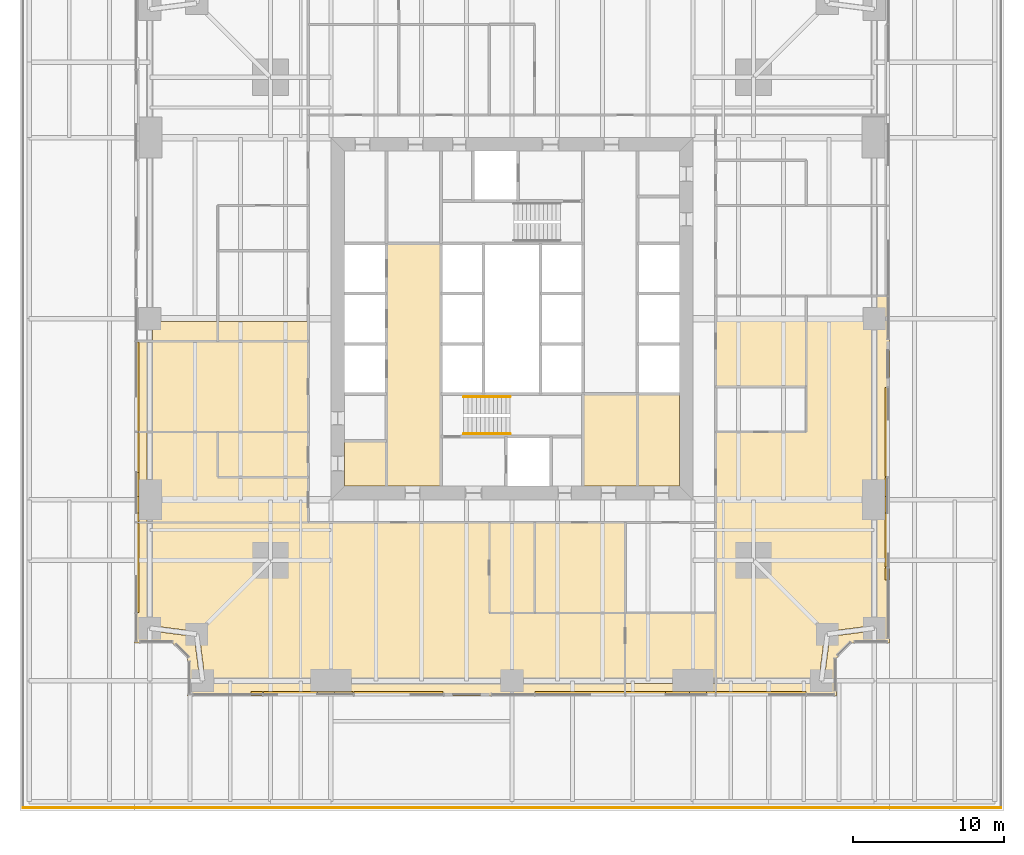
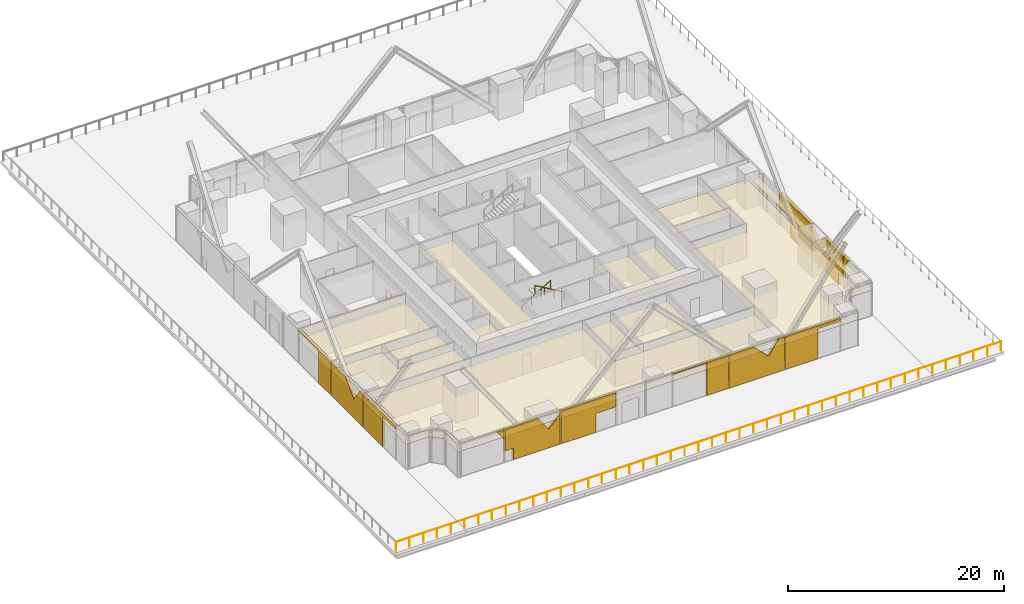
# One storey, part 19 of 21: 31 coverings, 3 railings.
"""IFC4 building model written with IfcOpenShell, lengths in metres."""

from ifc_helpers import new_model, si_unit, direction, frame, origin, origin_2d, place, context, subcontext, project, spatial, polyline, circle, outline, extrude, material, layer, layer_set, type_object, element, save


model = new_model("IFC4")

# Units and contexts
model_context = context("Model", 3, precision=1e-05, world=origin(), true_north=direction((0.0, 1.0)))
body_context = subcontext(model_context, "Body", "Model", "MODEL_VIEW")
ifc_project = project(units=[si_unit("LENGTHUNIT", "METRE"), si_unit("AREAUNIT", "SQUARE_METRE"), si_unit("VOLUMEUNIT", "CUBIC_METRE"), si_unit("PLANEANGLEUNIT", "RADIAN"), si_unit("MASSUNIT", "GRAM", prefix="KILO")], contexts=[model_context])

# Site, building, storey
site_placement = place(None, origin())
site = spatial("IfcSite", under=ifc_project, at=site_placement, CompositionType="ELEMENT")
building_placement = place(site_placement, origin())
building = spatial("IfcBuilding", under=site, at=building_placement, Name="Fenwick Lantern Interchange", CompositionType="ELEMENT")
storey_placement = place(building_placement, frame((0.0, 0.0, 31.0)))
storey = spatial("IfcBuildingStorey", under=building, at=storey_placement, Name="L06", CompositionType="ELEMENT", Elevation=31.0)

# Coverings
ifc_material_1 = material(Name="Mineral fibre acoustic tile on suspended grid")
ifc_layer_1 = layer(ifc_material_1, 0.02001953125)
ifc_layer_set_1 = layer_set([ifc_layer_1], Name="ACOUSTIC TILE CEILING 20")
covering_type_1 = type_object("IfcCoveringType", Name="ACOUSTIC TILE CEILING 20", PredefinedType="CEILING", material=ifc_layer_set_1)
covering_1_placement = place(storey_placement, frame((0.0, 0.0, 2.89990234375)))
element("IfcCovering", 1, at=covering_1_placement, inside=storey, type_object=covering_type_1, Name="Coworking studio ceiling", PredefinedType="CEILING", context=body_context, shape_type="SweptSolid", body=[
    extrude(outline(polyline([(32.5, 5.5), (23.5, 5.5), (23.5, 11.5), (1.17236328125, 11.5), (1.17236328125, 4.651611328125), (4.1220703125, 4.27099609375), (4.10009765625, 4.10009765625), (4.27099609375, 4.1220703125), (4.651611328125, 1.17236328125), (13.0, 1.17236328125), (25.0, 1.17236328125), (32.5, 1.17236328125), (32.5, 5.5)])), origin(), (0.0, 0.0, 1.0), 0.02001953125),
])
covering_2_placement = place(storey_placement, frame((0.0, 0.0, 2.89990234375)))
element("IfcCovering", 2, at=covering_2_placement, inside=storey, type_object=covering_type_1, Name="Coworking studio ceiling", PredefinedType="CEILING", context=body_context, shape_type="SweptSolid", body=[
    extrude(outline(polyline([(32.5, 0.0), (32.5, 0.82763671875), (25.0, 0.82763671875), (13.0, 0.82763671875), (4.5, 0.82763671875), (4.5, 1.0), (4.3291015625, 0.97802734375), (3.946044921875, 3.946044921875), (0.97802734375, 4.3291015625), (1.0, 4.5), (0.82763671875, 4.5), (0.82763671875, 11.5), (0.0, 11.5), (0.0, 3.5), (2.5, 3.5), (3.5, 2.5), (3.5, 0.0), (32.5, 0.0)])), origin(), (0.0, 0.0, 1.0), 0.02001953125),
])
covering_3_placement = place(storey_placement, frame((0.0, 0.0, 2.89990234375)))
element("IfcCovering", 3, at=covering_3_placement, inside=storey, type_object=covering_type_1, Name="Meeting room ceiling", PredefinedType="CEILING", context=body_context, shape_type="SweptSolid", body=[
    extrude(outline(polyline([(32.5, 5.5), (32.5, 1.17236328125), (37.0, 1.17236328125), (38.5, 1.17236328125), (38.5, 5.5), (32.5, 5.5)])), origin(), (0.0, 0.0, 1.0), 0.02001953125),
])
covering_4_placement = place(storey_placement, frame((0.0, 0.0, 2.89990234375)))
element("IfcCovering", 4, at=covering_4_placement, inside=storey, type_object=covering_type_1, Name="Meeting room ceiling", PredefinedType="CEILING", context=body_context, shape_type="SweptSolid", body=[
    extrude(outline(polyline([(38.5, 0.0), (38.5, 0.82763671875), (37.0, 0.82763671875), (32.5, 0.82763671875), (32.5, 0.0), (38.5, 0.0)])), origin(), (0.0, 0.0, 1.0), 0.02001953125),
])
covering_5_placement = place(storey_placement, frame((0.0, 0.0, 2.89990234375)))
element("IfcCovering", 5, at=covering_5_placement, inside=storey, type_object=covering_type_1, Name="Meeting room ceiling", PredefinedType="CEILING", context=body_context, shape_type="SweptSolid", body=[
    extrude(outline(polyline([(26.5, 5.5), (32.5, 5.5), (32.5, 11.5), (26.5, 11.5), (26.5, 5.5)])), origin(), (0.0, 0.0, 1.0), 0.02001953125),
])
covering_6_placement = place(storey_placement, frame((0.0, 0.0, 2.89990234375)))
element("IfcCovering", 6, at=covering_6_placement, inside=storey, type_object=covering_type_1, Name="Coworking studio ceiling", PredefinedType="CEILING", context=body_context, shape_type="SweptSolid", body=[
    extrude(outline(polyline([(44.5, 24.824951171875), (44.5, 17.5), (38.5, 17.5), (38.5, 1.17236328125), (45.348388671875, 1.17236328125), (45.72900390625, 4.1220703125), (45.89990234375, 4.10009765625), (45.8779296875, 4.27099609375), (48.82763671875, 4.651611328125), (48.82763671875, 13.0), (48.82763671875, 24.824951171875), (44.5, 24.824951171875)])), origin(), (0.0, 0.0, 1.0), 0.02001953125),
])
covering_7_placement = place(storey_placement, frame((0.0, 0.0, 2.89990234375)))
element("IfcCovering", 7, at=covering_7_placement, inside=storey, type_object=covering_type_1, Name="Coworking studio ceiling", PredefinedType="CEILING", context=body_context, shape_type="SweptSolid", body=[
    extrude(outline(polyline([(50.0, 26.5), (49.17236328125, 26.5), (49.17236328125, 25.0), (49.17236328125, 13.0), (49.17236328125, 4.5), (49.0, 4.5), (49.02197265625, 4.3291015625), (46.053955078125, 3.946044921875), (45.6708984375, 0.97802734375), (45.5, 1.0), (45.5, 0.82763671875), (38.5, 0.82763671875), (38.5, 0.0), (46.5, 0.0), (46.5, 2.5), (47.5, 3.5), (50.0, 3.5), (50.0, 26.5)])), origin(), (0.0, 0.0, 1.0), 0.02001953125),
])
covering_8_placement = place(storey_placement, frame((0.0, 0.0, 2.89990234375)))
element("IfcCovering", 8, at=covering_8_placement, inside=storey, type_object=covering_type_1, Name="Tenant office ceiling", PredefinedType="CEILING", context=body_context, shape_type="SweptSolid", body=[
    extrude(outline(polyline([(38.5, 20.5), (44.5, 20.5), (44.5, 24.824951171875), (38.5, 24.824951171875), (38.5, 20.5)])), origin(), (0.0, 0.0, 1.0), 0.02001953125),
])
covering_9_placement = place(storey_placement, frame((0.0, 0.0, 2.89990234375)))
element("IfcCovering", 9, at=covering_9_placement, inside=storey, type_object=covering_type_1, Name="Coworking studio ceiling", PredefinedType="CEILING", context=body_context, shape_type="SweptSolid", body=[
    extrude(outline(polyline([(5.5, 23.5), (5.5, 24.824951171875), (1.17236328125, 24.824951171875), (1.17236328125, 23.5), (5.5, 23.5)])), origin(), (0.0, 0.0, 1.0), 0.02001953125),
])
covering_10_placement = place(storey_placement, frame((0.0, 0.0, 2.89990234375)))
element("IfcCovering", 10, at=covering_10_placement, inside=storey, type_object=covering_type_1, Name="Tenant office ceiling", PredefinedType="CEILING", context=body_context, shape_type="SweptSolid", body=[
    extrude(outline(polyline([(11.5, 23.5), (11.5, 24.824951171875), (5.5, 24.824951171875), (5.5, 23.5), (11.5, 23.5)])), origin(), (0.0, 0.0, 1.0), 0.02001953125),
])
covering_11_placement = place(storey_placement, frame((0.0, 0.0, 2.89990234375)))
element("IfcCovering", 11, at=covering_11_placement, inside=storey, type_object=covering_type_1, Name="Coworking room ceiling", PredefinedType="CEILING", context=body_context, shape_type="SweptSolid", body=[
    extrude(outline(polyline([(5.5, 17.5), (1.17236328125, 17.5), (1.17236328125, 13.0), (1.17236328125, 11.5), (11.5, 11.5), (11.5, 14.5), (5.5, 14.5), (5.5, 17.5)])), origin(), (0.0, 0.0, 1.0), 0.02001953125),
])
covering_12_placement = place(storey_placement, frame((0.0, 0.0, 2.89990234375)))
element("IfcCovering", 12, at=covering_12_placement, inside=storey, type_object=covering_type_1, Name="Coworking room ceiling", PredefinedType="CEILING", context=body_context, shape_type="SweptSolid", body=[
    extrude(outline(polyline([(0.0, 17.5), (0.0, 11.5), (0.82763671875, 11.5), (0.82763671875, 13.0), (0.82763671875, 17.5), (0.0, 17.5)])), origin(), (0.0, 0.0, 1.0), 0.02001953125),
])
ifc_material_2 = material(Name="Granite cladding, warm grey flamed finish, on aluminium carrier frame", Category="masonry")
ifc_layer_2 = layer(ifc_material_2, 0.300048828125)
ifc_layer_set_2 = layer_set([ifc_layer_2], Name="BRACE CASING PANEL 300")
covering_type_2 = type_object("IfcCoveringType", Name="BRACE CASING PANEL 300", PredefinedType="CLADDING", material=ifc_layer_set_2)
covering_13_placement = place(storey_placement, frame((3.60009765625, 0.10009765625, 2.66650390625), z_axis=(0.0, 0.0, 1.0), x_axis=(1.0, 0.0, 0.0)))
element("IfcCovering", 13, at=covering_13_placement, inside=storey, type_object=covering_type_2, Name="Brace casing 01A bay 00a", PredefinedType="CLADDING", context=body_context, shape_type="SweptSolid", body=[
    extrude(outline(polyline([(4.867431640625, 0.0), (4.867431640625, 1.08349609375), (4.101318359375, 1.08349609375), (4.867431640625, 0.0)])), frame((0.0, 0.2001953125, 0.0), z_axis=(0.0, -1.0, 0.0), x_axis=(1.0, 0.0, 0.0)), (0.0, 0.0, 1.0), 0.300048828125),
])
covering_14_placement = place(storey_placement, frame((3.60009765625, 0.10009765625, 0.0), z_axis=(0.0, 0.0, 1.0), x_axis=(1.0, 0.0, 0.0)))
element("IfcCovering", 14, at=covering_14_placement, inside=storey, type_object=covering_type_2, Name="Brace casing 01A bay 01a", PredefinedType="CLADDING", context=body_context, shape_type="SweptSolid", body=[
    extrude(outline(polyline([(5.842529296875, 0.0), (10.867431640625, 0.0), (10.867431640625, 3.392333984375), (9.635986328125, 2.158935546875), (8.510498046875, 3.75), (4.9326171875, 3.75), (4.9326171875, 1.287841796875), (5.842529296875, 1.287841796875), (5.842529296875, 0.0)])), frame((0.0, 0.2001953125, 0.0), z_axis=(0.0, -1.0, 0.0), x_axis=(1.0, 0.0, 0.0)), (0.0, 0.0, 1.0), 0.300048828125),
])
covering_15_placement = place(storey_placement, frame((3.60009765625, 0.10009765625, 0.0), z_axis=(0.0, 0.0, 1.0), x_axis=(1.0, 0.0, 0.0)))
element("IfcCovering", 15, at=covering_15_placement, inside=storey, type_object=covering_type_2, Name="Brace casing 01A bay 02a", PredefinedType="CLADDING", context=body_context, shape_type="SweptSolid", body=[
    extrude(outline(polyline([(10.9326171875, 0.0), (14.70263671875, 0.0), (14.70263671875, 2.138427734375), (16.8349609375, 2.138427734375), (16.8349609375, 3.75), (10.9326171875, 3.75), (10.9326171875, 0.0)])), frame((0.0, 0.2001953125, 0.0), z_axis=(0.0, -1.0, 0.0), x_axis=(1.0, 0.0, 0.0)), (0.0, 0.0, 1.0), 0.300048828125),
])
covering_16_placement = place(storey_placement, frame((23.5, 0.10009765625, 0.0), z_axis=(0.0, 0.0, 1.0), x_axis=(1.0, 0.0, 0.0)))
element("IfcCovering", 16, at=covering_16_placement, inside=storey, type_object=covering_type_2, Name="Brace casing 01B bay 01a", PredefinedType="CLADDING", context=body_context, shape_type="SweptSolid", body=[
    extrude(outline(polyline([(6.6826171875, 0.0), (8.967529296875, 0.0), (8.967529296875, 3.75), (3.032470703125, 3.75), (3.032470703125, 3.65576171875), (6.6826171875, 3.65576171875), (6.6826171875, 0.0)])), frame((0.0, 0.2001953125, 0.0), z_axis=(0.0, -1.0, 0.0), x_axis=(1.0, 0.0, 0.0)), (0.0, 0.0, 1.0), 0.300048828125),
])
covering_17_placement = place(storey_placement, frame((23.5, 0.10009765625, 0.0), z_axis=(0.0, 0.0, 1.0), x_axis=(1.0, 0.0, 0.0)))
element("IfcCovering", 17, at=covering_17_placement, inside=storey, type_object=covering_type_2, Name="Brace casing 01B bay 02a", PredefinedType="CLADDING", context=body_context, shape_type="SweptSolid", body=[
    extrude(outline(polyline([(9.032470703125, 0.0), (14.967529296875, 0.0), (14.967529296875, 3.75), (14.389404296875, 3.75), (13.26416015625, 2.158935546875), (11.675537109375, 3.75), (9.032470703125, 3.75), (9.032470703125, 0.0)])), frame((0.0, 0.2001953125, 0.0), z_axis=(0.0, -1.0, 0.0), x_axis=(1.0, 0.0, 0.0)), (0.0, 0.0, 1.0), 0.300048828125),
])
covering_18_placement = place(storey_placement, frame((23.5, 0.10009765625, 0.0), z_axis=(0.0, 0.0, 1.0), x_axis=(1.0, 0.0, 0.0)))
element("IfcCovering", 18, at=covering_18_placement, inside=storey, type_object=covering_type_2, Name="Brace casing 01B bay 03a", PredefinedType="CLADDING", context=body_context, shape_type="SweptSolid", body=[
    extrude(outline(polyline([(15.032470703125, 0.0), (18.556640625, 0.0), (18.556640625, 3.40771484375), (20.967529296875, 3.40771484375), (20.967529296875, 3.75), (15.032470703125, 3.75), (15.032470703125, 0.0)])), frame((0.0, 0.2001953125, 0.0), z_axis=(0.0, -1.0, 0.0), x_axis=(1.0, 0.0, 0.0)), (0.0, 0.0, 1.0), 0.300048828125),
])
covering_19_placement = place(storey_placement, frame((49.89990234375, 3.60009765625, 2.66650390625), z_axis=(0.0, 0.0, 1.0), x_axis=(0.0, 1.0, 0.0)))
element("IfcCovering", 19, at=covering_19_placement, inside=storey, type_object=covering_type_2, Name="Brace casing 05A bay 00a", PredefinedType="CLADDING", context=body_context, shape_type="SweptSolid", body=[
    extrude(outline(polyline([(4.867431640625, 0.0), (4.867431640625, 1.08349609375), (4.101318359375, 1.08349609375), (4.867431640625, 0.0)])), frame((0.0, 0.2001953125, 0.0), z_axis=(0.0, -1.0, 0.0), x_axis=(1.0, 0.0, 0.0)), (0.0, 0.0, 1.0), 0.300048828125),
])
covering_20_placement = place(storey_placement, frame((49.89990234375, 3.60009765625, 0.0), z_axis=(0.0, 0.0, 1.0), x_axis=(0.0, 1.0, 0.0)))
element("IfcCovering", 20, at=covering_20_placement, inside=storey, type_object=covering_type_2, Name="Brace casing 05A bay 01a", PredefinedType="CLADDING", context=body_context, shape_type="SweptSolid", body=[
    extrude(outline(polyline([(5.842529296875, 0.0), (10.867431640625, 0.0), (10.867431640625, 3.392333984375), (9.635986328125, 2.158935546875), (8.510498046875, 3.75), (4.9326171875, 3.75), (4.9326171875, 1.287841796875), (5.842529296875, 1.287841796875), (5.842529296875, 0.0)])), frame((0.0, 0.2001953125, 0.0), z_axis=(0.0, -1.0, 0.0), x_axis=(1.0, 0.0, 0.0)), (0.0, 0.0, 1.0), 0.300048828125),
])
covering_21_placement = place(storey_placement, frame((49.89990234375, 3.60009765625, 0.0), z_axis=(0.0, 0.0, 1.0), x_axis=(0.0, 1.0, 0.0)))
element("IfcCovering", 21, at=covering_21_placement, inside=storey, type_object=covering_type_2, Name="Brace casing 05A bay 02a", PredefinedType="CLADDING", context=body_context, shape_type="SweptSolid", body=[
    extrude(outline(polyline([(10.9326171875, 0.0), (14.70263671875, 0.0), (14.70263671875, 2.138427734375), (16.8349609375, 2.138427734375), (16.8349609375, 3.75), (10.9326171875, 3.75), (10.9326171875, 0.0)])), frame((0.0, 0.2001953125, 0.0), z_axis=(0.0, -1.0, 0.0), x_axis=(1.0, 0.0, 0.0)), (0.0, 0.0, 1.0), 0.300048828125),
])
covering_22_placement = place(storey_placement, frame((0.10009765625, 26.5, 0.0), z_axis=(0.0, 0.0, 1.0), x_axis=(0.0, -1.0, 0.0)))
element("IfcCovering", 22, at=covering_22_placement, inside=storey, type_object=covering_type_2, Name="Brace casing 13B bay 01a", PredefinedType="CLADDING", context=body_context, shape_type="SweptSolid", body=[
    extrude(outline(polyline([(6.6826171875, 0.0), (8.967529296875, 0.0), (8.967529296875, 3.75), (3.032470703125, 3.75), (3.032470703125, 3.65576171875), (6.6826171875, 3.65576171875), (6.6826171875, 0.0)])), frame((0.0, 0.2001953125, 0.0), z_axis=(0.0, -1.0, 0.0), x_axis=(1.0, 0.0, 0.0)), (0.0, 0.0, 1.0), 0.300048828125),
])
covering_23_placement = place(storey_placement, frame((0.10009765625, 26.5, 0.0), z_axis=(0.0, 0.0, 1.0), x_axis=(0.0, -1.0, 0.0)))
element("IfcCovering", 23, at=covering_23_placement, inside=storey, type_object=covering_type_2, Name="Brace casing 13B bay 02a", PredefinedType="CLADDING", context=body_context, shape_type="SweptSolid", body=[
    extrude(outline(polyline([(9.032470703125, 0.0), (14.967529296875, 0.0), (14.967529296875, 3.75), (14.389404296875, 3.75), (13.26416015625, 2.158935546875), (11.675537109375, 3.75), (9.032470703125, 3.75), (9.032470703125, 0.0)])), frame((0.0, 0.2001953125, 0.0), z_axis=(0.0, -1.0, 0.0), x_axis=(1.0, 0.0, 0.0)), (0.0, 0.0, 1.0), 0.300048828125),
])
covering_24_placement = place(storey_placement, frame((0.10009765625, 26.5, 0.0), z_axis=(0.0, 0.0, 1.0), x_axis=(0.0, -1.0, 0.0)))
element("IfcCovering", 24, at=covering_24_placement, inside=storey, type_object=covering_type_2, Name="Brace casing 13B bay 03a", PredefinedType="CLADDING", context=body_context, shape_type="SweptSolid", body=[
    extrude(outline(polyline([(15.032470703125, 0.0), (18.556640625, 0.0), (18.556640625, 3.40771484375), (20.967529296875, 3.40771484375), (20.967529296875, 3.75), (15.032470703125, 3.75), (15.032470703125, 0.0)])), frame((0.0, 0.2001953125, 0.0), z_axis=(0.0, -1.0, 0.0), x_axis=(1.0, 0.0, 0.0)), (0.0, 0.0, 1.0), 0.300048828125),
])

# Railings
ifc_material_3 = material(Name="Stainless steel handrail", Category="steel")
railing_type_1 = type_object("IfcRailingType", Name="HANDRAIL 900", PredefinedType="HANDRAIL", material=ifc_material_3)
railing_1_placement = place(storey_placement, frame((21.800048828125, 19.825927734375, 0.166748046875)))
element("IfcRailing", 25, at=railing_1_placement, inside=storey, type_object=railing_type_1, Name="L06/STAIR/ST1/HR1", PredefinedType="HANDRAIL", context=body_context, shape_type="SweptSolid", body=[
    extrude(circle(Radius=0.02392578125, at=origin_2d()), frame((0.0, 0.0, 0.8759765625), z_axis=(0.859290745958, 0.0, 0.51148745235), x_axis=(0.0, 1.0, 0.0)), (0.0, 0.0, 1.0), 3.584228515625),
    extrude(circle(Radius=0.02099609375, at=origin_2d()), origin(), (0.0, 0.0, 1.0), 0.851806640625),
    extrude(circle(Radius=0.02099609375, at=origin_2d()), frame((1.026611328125, 0.0, 0.611083984375)), (0.0, 0.0, 1.0), 0.851806640625),
    extrude(circle(Radius=0.02099609375, at=origin_2d()), frame((2.05322265625, 0.0, 1.22216796875)), (0.0, 0.0, 1.0), 0.851806640625),
    extrude(circle(Radius=0.02099609375, at=origin_2d()), frame((3.079833984375, 0.0, 1.833251953125)), (0.0, 0.0, 1.0), 0.851806640625),
])
railing_2_placement = place(storey_placement, frame((24.8798828125, 17.3740234375, 2.166748046875)))
element("IfcRailing", 26, at=railing_2_placement, inside=storey, type_object=railing_type_1, Name="L06/STAIR/ST1/HR2", PredefinedType="HANDRAIL", context=body_context, shape_type="SweptSolid", body=[
    extrude(circle(Radius=0.02392578125, at=origin_2d()), frame((0.0, 0.0, 0.8759765625), z_axis=(-0.859290745958, 0.0, 0.51148745235), x_axis=(0.0, -1.0, 0.0)), (0.0, 0.0, 1.0), 3.584228515625),
    extrude(circle(Radius=0.02099609375, at=origin_2d()), origin(), (0.0, 0.0, 1.0), 0.851806640625),
    extrude(circle(Radius=0.02099609375, at=origin_2d()), frame((-1.026611328125, 0.0, 0.611083984375)), (0.0, 0.0, 1.0), 0.851806640625),
    extrude(circle(Radius=0.02099609375, at=origin_2d()), frame((-2.05322265625, 0.0, 1.22216796875)), (0.0, 0.0, 1.0), 0.851806640625),
    extrude(circle(Radius=0.02099609375, at=origin_2d()), frame((-3.079833984375, 0.0, 1.833251953125)), (0.0, 0.0, 1.0), 0.851806640625),
])

# Coverings
ifc_material_4 = material(Name="Moisture resistant gypsum board on suspended frame, painted")
ifc_layer_3 = layer(ifc_material_4, 0.014892578125)
ifc_layer_set_3 = layer_set([ifc_layer_3], Name="MOISTURE RESISTANT CEILING 15")
covering_type_3 = type_object("IfcCoveringType", Name="MOISTURE RESISTANT CEILING 15", PredefinedType="CEILING", material=ifc_layer_set_3)
covering_25_placement = place(storey_placement, frame((0.0, 0.0, 2.60009765625)))
element("IfcCovering", 27, at=covering_25_placement, inside=storey, type_object=covering_type_3, Name="Accessible WC ceiling", PredefinedType="CEILING", context=body_context, shape_type="SweptSolid", body=[
    extrude(outline(polyline([(13.89990234375, 13.89990234375), (16.699951171875, 13.89990234375), (16.699951171875, 16.89990234375), (13.89990234375, 16.89990234375), (13.89990234375, 13.89990234375)])), origin(), (0.0, 0.0, 1.0), 0.014892578125),
])
covering_26_placement = place(storey_placement, frame((0.0, 0.0, 2.60009765625)))
element("IfcCovering", 28, at=covering_26_placement, inside=storey, type_object=covering_type_3, Name="Men's WC ceiling", PredefinedType="CEILING", context=body_context, shape_type="SweptSolid", body=[
    extrude(outline(polyline([(29.699951171875, 13.89990234375), (33.300048828125, 13.89990234375), (33.300048828125, 20.0), (29.699951171875, 20.0), (29.699951171875, 13.89990234375)])), origin(), (0.0, 0.0, 1.0), 0.014892578125),
])
covering_27_placement = place(storey_placement, frame((0.0, 0.0, 2.60009765625)))
element("IfcCovering", 29, at=covering_27_placement, inside=storey, type_object=covering_type_3, Name="Women's WC ceiling", PredefinedType="CEILING", context=body_context, shape_type="SweptSolid", body=[
    extrude(outline(polyline([(33.300048828125, 13.89990234375), (36.10009765625, 13.89990234375), (36.10009765625, 20.0), (33.300048828125, 20.0), (33.300048828125, 13.89990234375)])), origin(), (0.0, 0.0, 1.0), 0.014892578125),
])
covering_28_placement = place(storey_placement, frame((0.0, 0.0, 2.699951171875)))
element("IfcCovering", 30, at=covering_28_placement, inside=storey, type_object=covering_type_3, Name="Tenant kitchen ceiling", PredefinedType="CEILING", context=body_context, shape_type="SweptSolid", body=[
    extrude(outline(polyline([(23.5, 5.5), (26.5, 5.5), (26.5, 11.5), (23.5, 11.5), (23.5, 5.5)])), origin(), (0.0, 0.0, 1.0), 0.01513671875),
])
covering_29_placement = place(storey_placement, frame((0.0, 0.0, 2.699951171875)))
element("IfcCovering", 31, at=covering_29_placement, inside=storey, type_object=covering_type_3, Name="Locker room ceiling", PredefinedType="CEILING", context=body_context, shape_type="SweptSolid", body=[
    extrude(outline(polyline([(0.0, 17.5), (11.5, 17.5), (11.5, 23.5), (0.0, 23.5), (0.0, 17.5)])), origin(), (0.0, 0.0, 1.0), 0.01513671875),
])
ifc_material_5 = material(Name="Gypsum plasterboard on suspended frame, painted")
ifc_layer_4 = layer(ifc_material_5, 0.014892578125)
ifc_layer_set_4 = layer_set([ifc_layer_4], Name="PLASTERBOARD CEILING 15")
covering_type_4 = type_object("IfcCoveringType", Name="PLASTERBOARD CEILING 15", PredefinedType="CEILING", material=ifc_layer_set_4)
covering_30_placement = place(storey_placement, frame((0.0, 0.0, 2.800048828125)))
element("IfcCovering", 32, at=covering_30_placement, inside=storey, type_object=covering_type_4, Name="Lift lobby ceiling", PredefinedType="CEILING", context=body_context, shape_type="SweptSolid", body=[
    extrude(outline(polyline([(16.699951171875, 13.89990234375), (20.300048828125, 13.89990234375), (20.300048828125, 30.0), (16.699951171875, 30.0), (16.699951171875, 13.89990234375)])), origin(), (0.0, 0.0, 1.0), 0.014892578125),
])
covering_31_placement = place(storey_placement, frame((0.0, 0.0, 2.699951171875)))
element("IfcCovering", 33, at=covering_31_placement, inside=storey, type_object=covering_type_4, Name="Wellness room ceiling", PredefinedType="CEILING", context=body_context, shape_type="SweptSolid", body=[
    extrude(outline(polyline([(5.5, 17.5), (5.5, 14.5), (11.5, 14.5), (11.5, 17.5), (5.5, 17.5)])), origin(), (0.0, 0.0, 1.0), 0.01513671875),
])

# Railing
ifc_material_6 = material(Name="Stainless steel and laminated glass guard", Category="steel")
railing_type_2 = type_object("IfcRailingType", Name="TERRACE GUARD 1100", PredefinedType="GUARDRAIL", material=ifc_material_6)
railing_3_placement = place(storey_placement, frame((-7.39990234375, -7.39990234375, 0.0)))
element("IfcRailing", 34, at=railing_3_placement, inside=storey, type_object=railing_type_2, Name="L06/GR/1", PredefinedType="GUARDRAIL", context=body_context, shape_type="SweptSolid", body=[
    extrude(circle(Radius=0.02392578125, at=origin_2d()), frame((0.0, 0.0, 1.076171875), z_axis=(1.0, 0.0, 0.0), x_axis=(0.0, 1.0, 0.0)), (0.0, 0.0, 1.0), 64.7998046875),
    extrude(circle(Radius=0.02099609375, at=origin_2d()), origin(), (0.0, 0.0, 1.0), 1.052001953125),
    extrude(circle(Radius=0.02099609375, at=origin_2d()), frame((1.47265625, 0.0, 0.0)), (0.0, 0.0, 1.0), 1.052001953125),
    extrude(circle(Radius=0.02099609375, at=origin_2d()), frame((2.945556640625, 0.0, 0.0)), (0.0, 0.0, 1.0), 1.052001953125),
    extrude(circle(Radius=0.02099609375, at=origin_2d()), frame((4.418212890625, 0.0, 0.0)), (0.0, 0.0, 1.0), 1.052001953125),
    extrude(circle(Radius=0.02099609375, at=origin_2d()), frame((5.890869140625, 0.0, 0.0)), (0.0, 0.0, 1.0), 1.052001953125),
    extrude(circle(Radius=0.02099609375, at=origin_2d()), frame((7.363525390625, 0.0, 0.0)), (0.0, 0.0, 1.0), 1.052001953125),
    extrude(circle(Radius=0.02099609375, at=origin_2d()), frame((8.83642578125, 0.0, 0.0)), (0.0, 0.0, 1.0), 1.052001953125),
    extrude(circle(Radius=0.02099609375, at=origin_2d()), frame((10.30908203125, 0.0, 0.0)), (0.0, 0.0, 1.0), 1.052001953125),
    extrude(circle(Radius=0.02099609375, at=origin_2d()), frame((11.78173828125, 0.0, 0.0)), (0.0, 0.0, 1.0), 1.052001953125),
    extrude(circle(Radius=0.02099609375, at=origin_2d()), frame((13.25439453125, 0.0, 0.0)), (0.0, 0.0, 1.0), 1.052001953125),
    extrude(circle(Radius=0.02099609375, at=origin_2d()), frame((14.727294921875, 0.0, 0.0)), (0.0, 0.0, 1.0), 1.052001953125),
    extrude(circle(Radius=0.02099609375, at=origin_2d()), frame((16.199951171875, 0.0, 0.0)), (0.0, 0.0, 1.0), 1.052001953125),
    extrude(circle(Radius=0.02099609375, at=origin_2d()), frame((17.672607421875, 0.0, 0.0)), (0.0, 0.0, 1.0), 1.052001953125),
    extrude(circle(Radius=0.02099609375, at=origin_2d()), frame((19.1455078125, 0.0, 0.0)), (0.0, 0.0, 1.0), 1.052001953125),
    extrude(circle(Radius=0.02099609375, at=origin_2d()), frame((20.6181640625, 0.0, 0.0)), (0.0, 0.0, 1.0), 1.052001953125),
    extrude(circle(Radius=0.02099609375, at=origin_2d()), frame((22.0908203125, 0.0, 0.0)), (0.0, 0.0, 1.0), 1.052001953125),
    extrude(circle(Radius=0.02099609375, at=origin_2d()), frame((23.5634765625, 0.0, 0.0)), (0.0, 0.0, 1.0), 1.052001953125),
    extrude(circle(Radius=0.02099609375, at=origin_2d()), frame((25.036376953125, 0.0, 0.0)), (0.0, 0.0, 1.0), 1.052001953125),
    extrude(circle(Radius=0.02099609375, at=origin_2d()), frame((26.509033203125, 0.0, 0.0)), (0.0, 0.0, 1.0), 1.052001953125),
    extrude(circle(Radius=0.02099609375, at=origin_2d()), frame((27.981689453125, 0.0, 0.0)), (0.0, 0.0, 1.0), 1.052001953125),
    extrude(circle(Radius=0.02099609375, at=origin_2d()), frame((29.454345703125, 0.0, 0.0)), (0.0, 0.0, 1.0), 1.052001953125),
    extrude(circle(Radius=0.02099609375, at=origin_2d()), frame((30.92724609375, 0.0, 0.0)), (0.0, 0.0, 1.0), 1.052001953125),
    extrude(circle(Radius=0.02099609375, at=origin_2d()), frame((32.39990234375, 0.0, 0.0)), (0.0, 0.0, 1.0), 1.052001953125),
    extrude(circle(Radius=0.02099609375, at=origin_2d()), frame((33.87255859375, 0.0, 0.0)), (0.0, 0.0, 1.0), 1.052001953125),
    extrude(circle(Radius=0.02099609375, at=origin_2d()), frame((35.345458984375, 0.0, 0.0)), (0.0, 0.0, 1.0), 1.052001953125),
    extrude(circle(Radius=0.02099609375, at=origin_2d()), frame((36.818115234375, 0.0, 0.0)), (0.0, 0.0, 1.0), 1.052001953125),
    extrude(circle(Radius=0.02099609375, at=origin_2d()), frame((38.290771484375, 0.0, 0.0)), (0.0, 0.0, 1.0), 1.052001953125),
    extrude(circle(Radius=0.02099609375, at=origin_2d()), frame((39.763427734375, 0.0, 0.0)), (0.0, 0.0, 1.0), 1.052001953125),
    extrude(circle(Radius=0.02099609375, at=origin_2d()), frame((41.236328125, 0.0, 0.0)), (0.0, 0.0, 1.0), 1.052001953125),
    extrude(circle(Radius=0.02099609375, at=origin_2d()), frame((42.708984375, 0.0, 0.0)), (0.0, 0.0, 1.0), 1.052001953125),
    extrude(circle(Radius=0.02099609375, at=origin_2d()), frame((44.181640625, 0.0, 0.0)), (0.0, 0.0, 1.0), 1.052001953125),
    extrude(circle(Radius=0.02099609375, at=origin_2d()), frame((45.654296875, 0.0, 0.0)), (0.0, 0.0, 1.0), 1.052001953125),
    extrude(circle(Radius=0.02099609375, at=origin_2d()), frame((47.127197265625, 0.0, 0.0)), (0.0, 0.0, 1.0), 1.052001953125),
    extrude(circle(Radius=0.02099609375, at=origin_2d()), frame((48.599853515625, 0.0, 0.0)), (0.0, 0.0, 1.0), 1.052001953125),
    extrude(circle(Radius=0.02099609375, at=origin_2d()), frame((50.072509765625, 0.0, 0.0)), (0.0, 0.0, 1.0), 1.052001953125),
    extrude(circle(Radius=0.02099609375, at=origin_2d()), frame((51.54541015625, 0.0, 0.0)), (0.0, 0.0, 1.0), 1.052001953125),
    extrude(circle(Radius=0.02099609375, at=origin_2d()), frame((53.01806640625, 0.0, 0.0)), (0.0, 0.0, 1.0), 1.052001953125),
    extrude(circle(Radius=0.02099609375, at=origin_2d()), frame((54.49072265625, 0.0, 0.0)), (0.0, 0.0, 1.0), 1.052001953125),
    extrude(circle(Radius=0.02099609375, at=origin_2d()), frame((55.96337890625, 0.0, 0.0)), (0.0, 0.0, 1.0), 1.052001953125),
    extrude(circle(Radius=0.02099609375, at=origin_2d()), frame((57.436279296875, 0.0, 0.0)), (0.0, 0.0, 1.0), 1.052001953125),
    extrude(circle(Radius=0.02099609375, at=origin_2d()), frame((58.908935546875, 0.0, 0.0)), (0.0, 0.0, 1.0), 1.052001953125),
    extrude(circle(Radius=0.02099609375, at=origin_2d()), frame((60.381591796875, 0.0, 0.0)), (0.0, 0.0, 1.0), 1.052001953125),
    extrude(circle(Radius=0.02099609375, at=origin_2d()), frame((61.854248046875, 0.0, 0.0)), (0.0, 0.0, 1.0), 1.052001953125),
    extrude(circle(Radius=0.02099609375, at=origin_2d()), frame((63.3271484375, 0.0, 0.0)), (0.0, 0.0, 1.0), 1.052001953125),
    extrude(circle(Radius=0.02099609375, at=origin_2d()), frame((64.7998046875, 0.0, 0.0)), (0.0, 0.0, 1.0), 1.052001953125),
])

save(model, "model.ifc")
